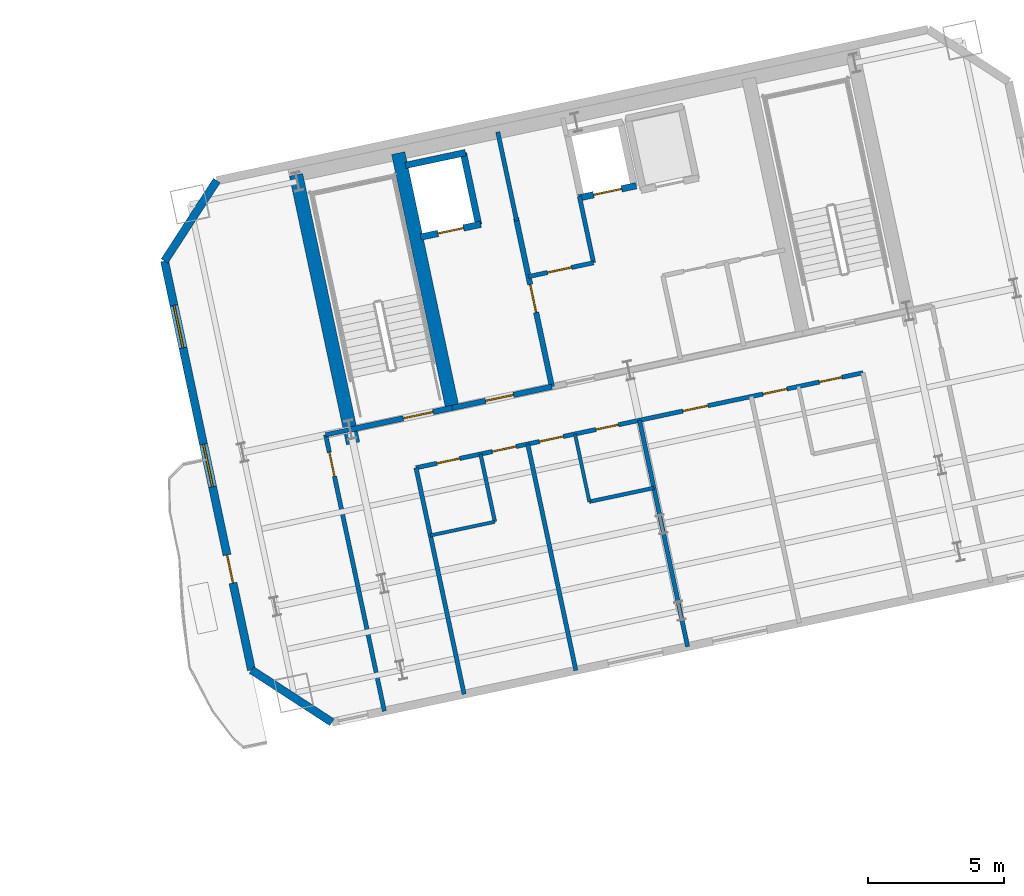
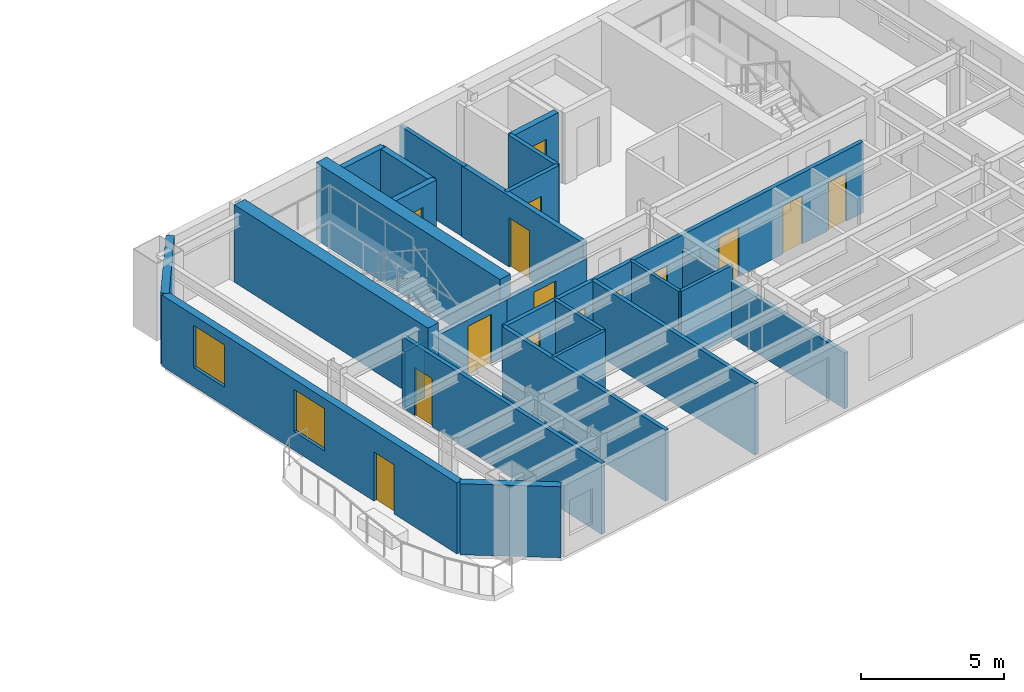
# One storey, part 7 of 14: 25 walls, 15 doors, 2 windows, 17 openings.
"""IFC4 building model written with IfcOpenShell, lengths in metres."""

from ifc_helpers import new_model, si_unit, direction, frame, frame_2d, origin, place, context, subcontext, project, spatial, rectangle, extrude, material, layer, layer_set, type_object, element, fill, save


model = new_model("IFC4")

# Units and contexts
model_context = context("Model", 3, precision=1e-05, world=origin(), true_north=direction((0.0, 1.0)))
body_context = subcontext(model_context, "Body", "Model", "MODEL_VIEW")
ifc_project = project(units=[si_unit("LENGTHUNIT", "METRE"), si_unit("AREAUNIT", "SQUARE_METRE"), si_unit("VOLUMEUNIT", "CUBIC_METRE"), si_unit("PLANEANGLEUNIT", "RADIAN"), si_unit("MASSUNIT", "GRAM", prefix="KILO")], contexts=[model_context])

# Site, building, storey
site_placement = place(None, origin())
site = spatial("IfcSite", under=ifc_project, at=site_placement, CompositionType="ELEMENT")
building_placement = place(site_placement, origin())
building = spatial("IfcBuilding", under=site, at=building_placement, Name="Haevon Station Towers", CompositionType="ELEMENT")
storey_placement = place(building_placement, frame((0.0, 0.0, 169.199951171875)))
storey = spatial("IfcBuildingStorey", under=building, at=storey_placement, Name="L46", CompositionType="ELEMENT", Elevation=169.199951171875)

# Wall, opening, door
ifc_material_1 = material(Name="Gypsum board on steel stud", Category="steel")
ifc_layer_1 = layer(ifc_material_1, 0.199951171875)
ifc_layer_set_1 = layer_set([ifc_layer_1], Name="Gypsum board on steel stud")
wall_type_1 = type_object("IfcWallType", Name="WL-COR200", PredefinedType="PARTITIONING", material=ifc_layer_set_1)
wall_1_placement = place(storey_placement, frame((98.75244140625, 37.4423828125, 0.0), z_axis=(0.0, 0.0, 1.0), x_axis=(0.978143537786, 0.207930804564, 0.0)))
wall_1 = element("IfcWall", 1, at=wall_1_placement, inside=storey, type_object=wall_type_1, Name="WL-ST-ST3-L46", PredefinedType="PARTITIONING", context=body_context, shape_type="SweptSolid", body=[
    extrude(rectangle(XDim=3.85009765625, YDim=0.199951171875, at=frame_2d((1.925048828125, 0.0))), origin(), (0.0, 0.0, 1.0), 2.380126953125),
])
opening_1_placement = place(wall_1_placement, frame((2.0, 0.0, 0.0)))
opening_1 = element("IfcOpeningElement", 2, at=opening_1_placement, cuts=wall_1, Name="Opening DR-ST-ST3-L46", PredefinedType="OPENING", context=body_context, shape_type="SweptSolid", body=[
    extrude(rectangle(XDim=1.1201171875, YDim=2.10009765625, at=frame_2d((0.56005859375, 1.050048828125))), frame((0.0, 0.10986328125, 0.0), z_axis=(0.0, -1.0, 0.0), x_axis=(1.0, 0.0, 0.0)), (0.0, 0.0, 1.0), 0.219970703125),
])
ifc_material_2 = material(Name="Engineered oak timber", Category="wood")
door_type_1 = type_object("IfcDoorType", Name="DR-ST-1120", OperationType="NOTDEFINED", PredefinedType="DOOR", material=ifc_material_2)
door_1_placement = place(opening_1_placement, origin())
door_1 = element("IfcDoor", 3, at=door_1_placement, inside=storey, type_object=door_type_1, Name="L46 Escape Stair ST3 Fire Door", OperationType="SINGLE_SWING_LEFT", OverallHeight=2.10009765625, OverallWidth=1.1201171875, PredefinedType="DOOR", context=body_context, shape_type="SweptSolid", body=[
    extrude(rectangle(XDim=1.1201171875, YDim=2.10009765625, at=frame_2d((0.56005859375, 1.050048828125))), frame((0.0, 0.02490234375, 0.0), z_axis=(0.0, -1.0, 0.0), x_axis=(1.0, 0.0, 0.0)), (0.0, 0.0, 1.0), 0.050048828125),
])
fill(opening_1, door_1)

wall_2_placement = place(storey_placement, frame((106.186279296875, 39.0224609375, 0.0), z_axis=(0.0, 0.0, 1.0), x_axis=(-0.207916691923, 0.978146537703, 0.0)))
wall_2 = element("IfcWall", 4, at=wall_2_placement, inside=storey, type_object=wall_type_1, Name="WL-T2FFL-L46-E", PredefinedType="PARTITIONING", context=body_context, shape_type="SweptSolid", body=[
    extrude(rectangle(XDim=6.35009765625, YDim=0.199951171875, at=frame_2d((3.175048828125, 0.0))), origin(), (0.0, 0.0, 1.0), 3.030029296875),
])
opening_2_placement = place(wall_2_placement, frame((2.800048828125, 0.0, 0.0)))
opening_2 = element("IfcOpeningElement", 5, at=opening_2_placement, cuts=wall_2, Name="Opening DR-T2FFL-L46-E", PredefinedType="OPENING", context=body_context, shape_type="SweptSolid", body=[
    extrude(rectangle(XDim=1.050048828125, YDim=2.10009765625, at=frame_2d((0.52490234375, 1.050048828125))), frame((0.0, 0.10986328125, 0.0), z_axis=(0.0, -1.0, 0.0), x_axis=(1.0, 0.0, 0.0)), (0.0, 0.0, 1.0), 0.219970703125),
])
door_type_2 = type_object("IfcDoorType", Name="DR-FD60-1050", OperationType="NOTDEFINED", PredefinedType="DOOR", material=ifc_material_2)
door_2_placement = place(opening_2_placement, origin())
door_2 = element("IfcDoor", 6, at=door_2_placement, inside=storey, type_object=door_type_2, Name="L46 Tower 2 Firefighting Lift Lobby Door E", OperationType="SINGLE_SWING_LEFT", OverallHeight=2.10009765625, OverallWidth=1.050048828125, PredefinedType="DOOR", context=body_context, shape_type="SweptSolid", body=[
    extrude(rectangle(XDim=1.050048828125, YDim=2.10009765625, at=frame_2d((0.52490234375, 1.050048828125))), frame((0.0, 0.02490234375, 0.0), z_axis=(0.0, -1.0, 0.0), x_axis=(1.0, 0.0, 0.0)), (0.0, 0.0, 1.0), 0.050048828125),
])
fill(opening_2, door_2)

wall_3_placement = place(storey_placement, frame((102.518310546875, 38.242919921875, 0.0), z_axis=(0.0, 0.0, 1.0), x_axis=(0.978153555683, 0.20788367301, 0.0)))
wall_3 = element("IfcWall", 7, at=wall_3_placement, inside=storey, type_object=wall_type_1, Name="WL-T2FFL-L46-S", PredefinedType="PARTITIONING", context=body_context, shape_type="SweptSolid", body=[
    extrude(rectangle(XDim=3.75, YDim=0.199951171875, at=frame_2d((1.875, 0.0))), origin(), (0.0, 0.0, 1.0), 2.380126953125),
])
opening_3_placement = place(wall_3_placement, frame((1.25, 0.0, 0.0)))
opening_3 = element("IfcOpeningElement", 8, at=opening_3_placement, cuts=wall_3, Name="Opening DR-T2FFL-L46-S", PredefinedType="OPENING", context=body_context, shape_type="SweptSolid", body=[
    extrude(rectangle(XDim=1.050048828125, YDim=2.10009765625, at=frame_2d((0.52490234375, 1.050048828125))), frame((0.0, 0.10986328125, 0.0), z_axis=(0.0, -1.0, 0.0), x_axis=(1.0, 0.0, 0.0)), (0.0, 0.0, 1.0), 0.219970703125),
])
door_3_placement = place(opening_3_placement, origin())
door_3 = element("IfcDoor", 9, at=door_3_placement, inside=storey, type_object=door_type_2, Name="L46 Tower 2 Firefighting Lift Lobby Door S", OperationType="SINGLE_SWING_RIGHT", OverallHeight=2.10009765625, OverallWidth=1.050048828125, PredefinedType="DOOR", context=body_context, shape_type="SweptSolid", body=[
    extrude(rectangle(XDim=1.050048828125, YDim=2.10009765625, at=frame_2d((0.52490234375, 1.050048828125))), frame((0.0, 0.02490234375, 0.0), z_axis=(0.0, -1.0, 0.0), x_axis=(1.0, 0.0, 0.0)), (0.0, 0.0, 1.0), 0.050048828125),
])
fill(opening_3, door_3)

# Walls
ifc_material_3 = material(Name="Concrete C60/75", Category="concrete")
ifc_layer_2 = layer(ifc_material_3, 0.5)
ifc_layer_set_2 = layer_set([ifc_layer_2], Name="Concrete C60/75")
wall_type_2 = type_object("IfcWallType", Name="WL-CR500", PredefinedType="SHEAR", material=ifc_layer_set_2)
wall_4_placement = place(storey_placement, frame((98.8603515625, 36.933837890625, 0.0), z_axis=(0.0, 0.0, 1.0), x_axis=(-0.20790924889, 0.978148119778, 0.0)))
element("IfcWall", 10, at=wall_4_placement, inside=storey, type_object=wall_type_2, Name="WL-T2CR-L46-W", PredefinedType="SHEAR", context=body_context, shape_type="SweptSolid", body=[
    extrude(rectangle(XDim=10.119873046875, YDim=0.5, at=frame_2d((5.06005859375, 0.0))), origin(), (0.0, 0.0, 1.0), 3.300048828125),
])
wall_5_placement = place(storey_placement, frame((102.518310546875, 38.242919921875, 0.0), z_axis=(0.0, 0.0, 1.0), x_axis=(-0.207927495108, 0.978144241295, 0.0)))
element("IfcWall", 11, at=wall_5_placement, inside=storey, type_object=wall_type_2, Name="WL-T2CR-L46-M1", PredefinedType="SHEAR", context=body_context, shape_type="SweptSolid", body=[
    extrude(rectangle(XDim=9.599853515625, YDim=0.5, at=frame_2d((4.7998046875, 0.0))), origin(), (0.0, 0.0, 1.0), 3.300048828125),
])
ifc_material_4 = material(Name="Precast concrete C45/55", Category="concrete")
ifc_layer_3 = layer(ifc_material_4, 0.300048828125)
ifc_layer_set_3 = layer_set([ifc_layer_3], Name="Precast concrete C45/55")
wall_type_3 = type_object("IfcWallType", Name="WL-EXT-PIER300", PredefinedType="SOLIDWALL", material=ifc_layer_set_3)
wall_6_placement = place(storey_placement, frame((98.080078125, 26.656982421875, 0.0), z_axis=(0.0, 0.0, 1.0), x_axis=(-0.838672309694, 0.544636352948, 0.0)))
element("IfcWall", 12, at=wall_6_placement, inside=storey, type_object=wall_type_3, Name="WL-T2-L46-SWC", PredefinedType="SOLIDWALL", context=body_context, shape_type="SweptSolid", body=[
    extrude(rectangle(XDim=3.535400390625, YDim=0.300048828125, at=frame_2d((1.767578125, 0.0))), origin(), (0.0, 0.0, 1.0), 3.030029296875),
])

# Wall, openings, door, windows
wall_7_placement = place(storey_placement, frame((95.114990234375, 28.58251953125, 0.0), z_axis=(0.0, 0.0, 1.0), x_axis=(-0.207908020757, 0.978148380822, 0.0)))
wall_7 = element("IfcWall", 13, at=wall_7_placement, inside=storey, type_object=wall_type_3, Name="WL-T2-L46-W", PredefinedType="SOLIDWALL", context=body_context, shape_type="SweptSolid", body=[
    extrude(rectangle(XDim=15.409912109375, YDim=0.300048828125, at=frame_2d((7.705078125, 0.0))), origin(), (0.0, 0.0, 1.0), 3.030029296875),
])
opening_4_placement = place(wall_7_placement, frame((3.280029296875, 0.0, 0.0)))
opening_4 = element("IfcOpeningElement", 14, at=opening_4_placement, cuts=wall_7, Name="Opening DR-T2-SCAL-L46-W", PredefinedType="OPENING", context=body_context, shape_type="SweptSolid", body=[
    extrude(rectangle(XDim=1.050048828125, YDim=2.10009765625, at=frame_2d((0.52490234375, 1.050048828125))), frame((0.0, 0.159912109375, 0.0), z_axis=(0.0, -1.0, 0.0), x_axis=(1.0, 0.0, 0.0)), (0.0, 0.0, 1.0), 0.320068359375),
])
opening_5_placement = place(wall_7_placement, frame((6.905029296875, 0.0, 0.800048828125)))
opening_5 = element("IfcOpeningElement", 15, at=opening_5_placement, cuts=wall_7, Name="Opening WN-END160", PredefinedType="OPENING", context=body_context, shape_type="SweptSolid", body=[
    extrude(rectangle(XDim=1.60009765625, YDim=1.800048828125, at=frame_2d((0.800048828125, 0.89990234375))), frame((0.0, 0.159912109375, 0.0), z_axis=(0.0, -1.0, 0.0), x_axis=(1.0, 0.0, 0.0)), (0.0, 0.0, 1.0), 0.320068359375),
])
opening_6_placement = place(wall_7_placement, frame((12.137939453125, 0.0, 0.800048828125)))
opening_6 = element("IfcOpeningElement", 16, at=opening_6_placement, cuts=wall_7, Name="Opening WN-END160", PredefinedType="OPENING", context=body_context, shape_type="SweptSolid", body=[
    extrude(rectangle(XDim=1.60009765625, YDim=1.800048828125, at=frame_2d((0.800048828125, 0.89990234375))), frame((0.0, 0.159912109375, 0.0), z_axis=(0.0, -1.0, 0.0), x_axis=(1.0, 0.0, 0.0)), (0.0, 0.0, 1.0), 0.320068359375),
])
ifc_material_5 = material(Name="Thermally broken anodised aluminium and laminated safety glass", Category="aluminium")
door_type_3 = type_object("IfcDoorType", Name="DR-BALC-1050", OperationType="NOTDEFINED", PredefinedType="DOOR", material=ifc_material_5)
door_4_placement = place(opening_4_placement, origin())
door_4 = element("IfcDoor", 17, at=door_4_placement, inside=storey, type_object=door_type_3, Name="Tower 2 L46 West Scalloped Balcony Door", OperationType="SINGLE_SWING_LEFT", OverallHeight=2.10009765625, OverallWidth=1.050048828125, PredefinedType="DOOR", context=body_context, shape_type="SweptSolid", body=[
    extrude(rectangle(XDim=1.050048828125, YDim=2.10009765625, at=frame_2d((0.52490234375, 1.050048828125))), frame((0.0, 0.02490234375, 0.0), z_axis=(0.0, -1.0, 0.0), x_axis=(1.0, 0.0, 0.0)), (0.0, 0.0, 1.0), 0.050048828125),
])
fill(opening_4, door_4)
ifc_material_6 = material(Name="Low-E triple glazing in thermally broken aluminium", Category="aluminium")
window_type = type_object("IfcWindowType", Name="WN-END160", PartitioningType="SINGLE_PANEL", PredefinedType="WINDOW", material=ifc_material_6)
window_1_placement = place(opening_5_placement, origin())
window_1 = element("IfcWindow", 18, at=window_1_placement, inside=storey, type_object=window_type, Name="WN-T2-L46-W01", OverallHeight=1.800048828125, OverallWidth=1.60009765625, PartitioningType="SINGLE_PANEL", PredefinedType="WINDOW", context=body_context, shape_type="SweptSolid", body=[
    extrude(rectangle(XDim=1.60009765625, YDim=1.800048828125, at=frame_2d((0.800048828125, 0.89990234375))), frame((0.0, 0.030029296875, 0.0), z_axis=(0.0, -1.0, 0.0), x_axis=(1.0, 0.0, 0.0)), (0.0, 0.0, 1.0), 0.06005859375),
])
fill(opening_5, window_1)
window_2_placement = place(opening_6_placement, origin())
window_2 = element("IfcWindow", 19, at=window_2_placement, inside=storey, type_object=window_type, Name="WN-T2-L46-W02", OverallHeight=1.800048828125, OverallWidth=1.60009765625, PartitioningType="SINGLE_PANEL", PredefinedType="WINDOW", context=body_context, shape_type="SweptSolid", body=[
    extrude(rectangle(XDim=1.60009765625, YDim=1.800048828125, at=frame_2d((0.800048828125, 0.89990234375))), frame((0.0, 0.030029296875, 0.0), z_axis=(0.0, -1.0, 0.0), x_axis=(1.0, 0.0, 0.0)), (0.0, 0.0, 1.0), 0.06005859375),
])
fill(opening_6, window_2)

# Walls
wall_8_placement = place(storey_placement, frame((91.9111328125, 43.65576171875, 0.0), z_axis=(0.0, 0.0, 1.0), x_axis=(0.544636352948, 0.838672309694, 0.0)))
element("IfcWall", 20, at=wall_8_placement, inside=storey, type_object=wall_type_3, Name="WL-T2-L46-NWC", PredefinedType="SOLIDWALL", context=body_context, shape_type="SweptSolid", body=[
    extrude(rectangle(XDim=3.535400390625, YDim=0.300048828125, at=frame_2d((1.767578125, 0.0))), origin(), (0.0, 0.0, 1.0), 3.030029296875),
])
ifc_layer_4 = layer(ifc_material_1, 0.125)
ifc_layer_set_4 = layer_set([ifc_layer_4], Name="Gypsum board on steel stud")
wall_type_4 = type_object("IfcWallType", Name="WL-PRT125", PredefinedType="PARTITIONING", material=ifc_layer_set_4)
wall_9_placement = place(storey_placement, frame((101.7080078125, 33.541748046875, 0.0), z_axis=(0.0, 0.0, 1.0), x_axis=(0.978156808166, 0.207868368539, 0.0)))
element("IfcWall", 21, at=wall_9_placement, inside=storey, type_object=wall_type_4, Name="WL-T2PT-L46-07", PredefinedType="PARTITIONING", context=body_context, shape_type="SweptSolid", body=[
    extrude(rectangle(XDim=2.429931640625, YDim=0.125, at=frame_2d((1.21484375, 0.0))), origin(), (0.0, 0.0, 1.0), 3.030029296875),
])
wall_10_placement = place(storey_placement, frame((107.567138671875, 34.787109375, 0.0), z_axis=(0.0, 0.0, 1.0), x_axis=(-0.207959524531, 0.978137432142, 0.0)))
element("IfcWall", 22, at=wall_10_placement, inside=storey, type_object=wall_type_4, Name="WL-T2PT-L46-11", PredefinedType="PARTITIONING", context=body_context, shape_type="SweptSolid", body=[
    extrude(rectangle(XDim=2.5498046875, YDim=0.125, at=frame_2d((1.27490234375, 0.0))), origin(), (0.0, 0.0, 1.0), 3.030029296875),
])
ifc_layer_5 = layer(ifc_material_1, 0.139892578125)
ifc_layer_set_5 = layer_set([ifc_layer_5], Name="Gypsum board on steel stud")
wall_type_5 = type_object("IfcWallType", Name="WL-PRT140", PredefinedType="PARTITIONING", material=ifc_layer_set_5)
wall_11_placement = place(storey_placement, frame((104.0849609375, 34.046875, 0.0), z_axis=(0.0, 0.0, 1.0), x_axis=(-0.207940050407, 0.978141572287, 0.0)))
element("IfcWall", 23, at=wall_11_placement, inside=storey, type_object=wall_type_5, Name="WL-T2PT-L46-08", PredefinedType="PARTITIONING", context=body_context, shape_type="SweptSolid", body=[
    extrude(rectangle(XDim=2.550048828125, YDim=0.139892578125, at=frame_2d((1.27490234375, 0.0))), origin(), (0.0, 0.0, 1.0), 3.030029296875),
])
wall_12_placement = place(storey_placement, frame((107.567138671875, 34.787109375, 0.0), z_axis=(0.0, 0.0, 1.0), x_axis=(0.978152466376, 0.207888798452, 0.0)))
element("IfcWall", 24, at=wall_12_placement, inside=storey, type_object=wall_type_5, Name="WL-T2PT-L46-10", PredefinedType="PARTITIONING", context=body_context, shape_type="SweptSolid", body=[
    extrude(rectangle(XDim=2.4296875, YDim=0.139892578125, at=frame_2d((1.21484375, 0.0))), origin(), (0.0, 0.0, 1.0), 3.030029296875),
])
ifc_layer_6 = layer(ifc_material_1, 0.159912109375)
ifc_layer_set_6 = layer_set([ifc_layer_6], Name="Gypsum board on steel stud")
wall_type_6 = type_object("IfcWallType", Name="WL-PRT160", PredefinedType="PARTITIONING", material=ifc_layer_set_6)
wall_13_placement = place(storey_placement, frame((104.88671875, 45.135986328125, 0.0), z_axis=(0.0, 0.0, 1.0), x_axis=(-0.207846553267, 0.978161443881, 0.0)))
element("IfcWall", 25, at=wall_13_placement, inside=storey, type_object=wall_type_6, Name="WL-T2CW-L46-01", PredefinedType="PARTITIONING", context=body_context, shape_type="SweptSolid", body=[
    extrude(rectangle(XDim=3.35009765625, YDim=0.159912109375, at=frame_2d((1.675048828125, 0.0))), origin(), (0.0, 0.0, 1.0), 3.030029296875),
])

# Wall, opening, door
wall_14_placement = place(storey_placement, frame((105.323486328125, 43.081787109375, 0.0), z_axis=(0.0, 0.0, 1.0), x_axis=(0.978136559131, 0.207963630695, 0.0)))
wall_14 = element("IfcWall", 26, at=wall_14_placement, inside=storey, type_object=wall_type_6, Name="WL-T2CW-L46-02", PredefinedType="PARTITIONING", context=body_context, shape_type="SweptSolid", body=[
    extrude(rectangle(XDim=2.449951171875, YDim=0.159912109375, at=frame_2d((1.22509765625, 0.0))), origin(), (0.0, 0.0, 1.0), 3.030029296875),
])
opening_7_placement = place(wall_14_placement, frame((0.719970703125, 0.0, 0.0)))
opening_7 = element("IfcOpeningElement", 27, at=opening_7_placement, cuts=wall_14, Name="Opening DR-WL-T2CW-L46-02-1", PredefinedType="OPENING", context=body_context, shape_type="SweptSolid", body=[
    extrude(rectangle(XDim=0.89990234375, YDim=2.10009765625, at=frame_2d((0.449951171875, 1.050048828125))), frame((0.0, 0.08984375, 0.0), z_axis=(0.0, -1.0, 0.0), x_axis=(1.0, 0.0, 0.0)), (0.0, 0.0, 1.0), 0.179931640625),
])
door_type_4 = type_object("IfcDoorType", Name="DR-FD60-900", OperationType="NOTDEFINED", PredefinedType="DOOR", material=ifc_material_2)
door_5_placement = place(opening_7_placement, origin())
door_5 = element("IfcDoor", 28, at=door_5_placement, inside=storey, type_object=door_type_4, Name="L46 Tower 2 Core Room Door 2-1", OperationType="SINGLE_SWING_RIGHT", OverallHeight=2.10009765625, OverallWidth=0.89990234375, PredefinedType="DOOR", context=body_context, shape_type="SweptSolid", body=[
    extrude(rectangle(XDim=0.89990234375, YDim=2.10009765625, at=frame_2d((0.449951171875, 1.050048828125))), frame((0.0, 0.02490234375, 0.0), z_axis=(0.0, -1.0, 0.0), x_axis=(1.0, 0.0, 0.0)), (0.0, 0.0, 1.0), 0.050048828125),
])
fill(opening_7, door_5)

# Walls
wall_15_placement = place(storey_placement, frame((107.719970703125, 43.59130859375, 0.0), z_axis=(0.0, 0.0, 1.0), x_axis=(-0.207914818928, 0.978146935828, 0.0)))
element("IfcWall", 29, at=wall_15_placement, inside=storey, type_object=wall_type_6, Name="WL-T2CW-L46-03", PredefinedType="PARTITIONING", context=body_context, shape_type="SweptSolid", body=[
    extrude(rectangle(XDim=2.5, YDim=0.159912109375, at=frame_2d((1.25, 0.0))), origin(), (0.0, 0.0, 1.0), 3.030029296875),
])
wall_16_placement = place(storey_placement, frame((102.951171875, 27.6923828125, 0.0), z_axis=(0.0, 0.0, 1.0), x_axis=(-0.207908391118, 0.978148302101, 0.0)))
element("IfcWall", 30, at=wall_16_placement, inside=storey, type_object=wall_type_6, Name="WL-T2PT-L46-01", PredefinedType="PARTITIONING", context=body_context, shape_type="SweptSolid", body=[
    extrude(rectangle(XDim=8.52978515625, YDim=0.159912109375, at=frame_2d((4.264892578125, 0.0))), origin(), (0.0, 0.0, 1.0), 3.030029296875),
])
wall_17_placement = place(storey_placement, frame((97.84765625, 37.25, 0.0), z_axis=(0.0, 0.0, 1.0), x_axis=(0.978133353907, 0.20797870558, 0.0)))
element("IfcWall", 31, at=wall_17_placement, inside=storey, type_object=wall_type_6, Name="WL-T2PT-L46-03", PredefinedType="PARTITIONING", context=body_context, shape_type="SweptSolid", body=[
    extrude(rectangle(XDim=0.925048828125, YDim=0.159912109375, at=frame_2d((0.46240234375, 0.0))), origin(), (0.0, 0.0, 1.0), 2.380126953125),
])

# Wall, opening, door
wall_18_placement = place(storey_placement, frame((100.011962890625, 27.067626953125, 0.0), z_axis=(0.0, 0.0, 1.0), x_axis=(-0.207909525055, 0.978148061078, 0.0)))
wall_18 = element("IfcWall", 32, at=wall_18_placement, inside=storey, type_object=wall_type_6, Name="WL-T2PT-L46-05", PredefinedType="PARTITIONING", context=body_context, shape_type="SweptSolid", body=[
    extrude(rectangle(XDim=10.409912109375, YDim=0.159912109375, at=frame_2d((5.205078125, 0.0))), origin(), (0.0, 0.0, 1.0), 3.030029296875),
])
opening_8_placement = place(wall_18_placement, frame((8.85009765625, 0.0, 0.0)))
opening_8 = element("IfcOpeningElement", 33, at=opening_8_placement, cuts=wall_18, Name="Opening DR-WL-T2PT-L46-05-01", PredefinedType="OPENING", context=body_context, shape_type="SweptSolid", body=[
    extrude(rectangle(XDim=0.89990234375, YDim=2.050048828125, at=frame_2d((0.449951171875, 1.02490234375))), frame((0.0, 0.08984375, 0.0), z_axis=(0.0, -1.0, 0.0), x_axis=(1.0, 0.0, 0.0)), (0.0, 0.0, 1.0), 0.179931640625),
])
door_type_5 = type_object("IfcDoorType", Name="DR-INT-900", OperationType="NOTDEFINED", PredefinedType="DOOR", material=ifc_material_2)
door_6_placement = place(opening_8_placement, origin())
door_6 = element("IfcDoor", 34, at=door_6_placement, inside=storey, type_object=door_type_5, Name="L46 Tower 2 Room Door 5-1", OperationType="SINGLE_SWING_LEFT", OverallHeight=2.050048828125, OverallWidth=0.89990234375, PredefinedType="DOOR", context=body_context, shape_type="SweptSolid", body=[
    extrude(rectangle(XDim=0.89990234375, YDim=2.050048828125, at=frame_2d((0.449951171875, 1.02490234375))), frame((0.0, 0.02490234375, 0.0), z_axis=(0.0, -1.0, 0.0), x_axis=(1.0, 0.0, 0.0)), (0.0, 0.0, 1.0), 0.050048828125),
])
fill(opening_8, door_6)

# Walls
wall_19_placement = place(storey_placement, frame((107.0693359375, 28.567626953125, 0.0), z_axis=(0.0, 0.0, 1.0), x_axis=(-0.207929954216, 0.978143718551, 0.0)))
element("IfcWall", 35, at=wall_19_placement, inside=storey, type_object=wall_type_6, Name="WL-T2PT-L46-09", PredefinedType="PARTITIONING", context=body_context, shape_type="SweptSolid", body=[
    extrude(rectangle(XDim=8.5302734375, YDim=0.159912109375, at=frame_2d((4.26513671875, 0.0))), origin(), (0.0, 0.0, 1.0), 3.030029296875),
])
wall_20_placement = place(storey_placement, frame((111.187255859375, 29.44287109375, 0.0), z_axis=(0.0, 0.0, 1.0), x_axis=(-0.207902570608, 0.97814953925, 0.0)))
element("IfcWall", 36, at=wall_20_placement, inside=storey, type_object=wall_type_6, Name="WL-T2PT-L46-12", PredefinedType="PARTITIONING", context=body_context, shape_type="SweptSolid", body=[
    extrude(rectangle(XDim=8.530029296875, YDim=0.159912109375, at=frame_2d((4.26513671875, 0.0))), origin(), (0.0, 0.0, 1.0), 2.380126953125),
])

# Wall, openings, doors
wall_21_placement = place(storey_placement, frame((101.177734375, 36.035888671875, 0.0), z_axis=(0.0, 0.0, 1.0), x_axis=(0.978147537813, 0.207911986835, 0.0)))
wall_21 = element("IfcWall", 37, at=wall_21_placement, inside=storey, type_object=wall_type_6, Name="WL-T2PT-L46-16", PredefinedType="PARTITIONING", context=body_context, shape_type="SweptSolid", body=[
    extrude(rectangle(XDim=16.83984375, YDim=0.159912109375, at=frame_2d((8.419921875, 0.0))), origin(), (0.0, 0.0, 1.0), 3.030029296875),
])
opening_9_placement = place(wall_21_placement, frame((0.7900390625, 0.0, 0.0)))
opening_9 = element("IfcOpeningElement", 38, at=opening_9_placement, cuts=wall_21, Name="Opening DR-WL-T2PT-L46-16-01", PredefinedType="OPENING", context=body_context, shape_type="SweptSolid", body=[
    extrude(rectangle(XDim=0.85009765625, YDim=2.050048828125, at=frame_2d((0.425048828125, 1.02490234375))), frame((0.0, 0.08984375, 0.0), z_axis=(0.0, -1.0, 0.0), x_axis=(1.0, 0.0, 0.0)), (0.0, 0.0, 1.0), 0.179931640625),
])
opening_10_placement = place(wall_21_placement, frame((2.8701171875, 0.0, 0.0)))
opening_10 = element("IfcOpeningElement", 39, at=opening_10_placement, cuts=wall_21, Name="Opening DR-WL-T2PT-L46-16-02", PredefinedType="OPENING", context=body_context, shape_type="SweptSolid", body=[
    extrude(rectangle(XDim=0.89990234375, YDim=2.050048828125, at=frame_2d((0.449951171875, 1.02490234375))), frame((0.0, 0.08984375, 0.0), z_axis=(0.0, -1.0, 0.0), x_axis=(1.0, 0.0, 0.0)), (0.0, 0.0, 1.0), 0.179931640625),
])
opening_11_placement = place(wall_21_placement, frame((6.780029296875, 0.0, 0.0)))
opening_11 = element("IfcOpeningElement", 40, at=opening_11_placement, cuts=wall_21, Name="Opening DR-WL-T2PT-L46-16-03", PredefinedType="OPENING", context=body_context, shape_type="SweptSolid", body=[
    extrude(rectangle(XDim=0.85009765625, YDim=2.050048828125, at=frame_2d((0.425048828125, 1.02490234375))), frame((0.0, 0.08984375, 0.0), z_axis=(0.0, -1.0, 0.0), x_axis=(1.0, 0.0, 0.0)), (0.0, 0.0, 1.0), 0.179931640625),
])
opening_12_placement = place(wall_21_placement, frame((4.64990234375, 0.0, 0.0)))
opening_12 = element("IfcOpeningElement", 41, at=opening_12_placement, cuts=wall_21, Name="Opening DR-WL-T2PT-L46-16-04", PredefinedType="OPENING", context=body_context, shape_type="SweptSolid", body=[
    extrude(rectangle(XDim=0.89990234375, YDim=2.050048828125, at=frame_2d((0.449951171875, 1.02490234375))), frame((0.0, 0.08984375, 0.0), z_axis=(0.0, -1.0, 0.0), x_axis=(1.0, 0.0, 0.0)), (0.0, 0.0, 1.0), 0.179931640625),
])
opening_13_placement = place(wall_21_placement, frame((10.050048828125, 0.0, 0.0)))
opening_13 = element("IfcOpeningElement", 42, at=opening_13_placement, cuts=wall_21, Name="Opening DR-WL-T2PT-L46-16-05", PredefinedType="OPENING", context=body_context, shape_type="SweptSolid", body=[
    extrude(rectangle(XDim=0.949951171875, YDim=2.10009765625, at=frame_2d((0.47509765625, 1.050048828125))), frame((0.0, 0.08984375, 0.0), z_axis=(0.0, -1.0, 0.0), x_axis=(1.0, 0.0, 0.0)), (0.0, 0.0, 1.0), 0.179931640625),
])
opening_14_placement = place(wall_21_placement, frame((15.199951171875, 0.0, 0.0)))
opening_14 = element("IfcOpeningElement", 43, at=opening_14_placement, cuts=wall_21, Name="Opening DR-WL-T2PT-L46-16-06", PredefinedType="OPENING", context=body_context, shape_type="SweptSolid", body=[
    extrude(rectangle(XDim=0.85009765625, YDim=2.050048828125, at=frame_2d((0.425048828125, 1.02490234375))), frame((0.0, 0.08984375, 0.0), z_axis=(0.0, -1.0, 0.0), x_axis=(1.0, 0.0, 0.0)), (0.0, 0.0, 1.0), 0.179931640625),
])
opening_15_placement = place(wall_21_placement, frame((13.070068359375, 0.0, 0.0)))
opening_15 = element("IfcOpeningElement", 44, at=opening_15_placement, cuts=wall_21, Name="Opening DR-WL-T2PT-L46-16-07", PredefinedType="OPENING", context=body_context, shape_type="SweptSolid", body=[
    extrude(rectangle(XDim=0.89990234375, YDim=2.050048828125, at=frame_2d((0.449951171875, 1.02490234375))), frame((0.0, 0.08984375, 0.0), z_axis=(0.0, -1.0, 0.0), x_axis=(1.0, 0.0, 0.0)), (0.0, 0.0, 1.0), 0.179931640625),
])
door_type_6 = type_object("IfcDoorType", Name="DR-FD30-850", OperationType="NOTDEFINED", PredefinedType="DOOR", material=ifc_material_2)
door_7_placement = place(opening_9_placement, origin())
door_7 = element("IfcDoor", 45, at=door_7_placement, inside=storey, type_object=door_type_6, Name="L46 Tower 2 Room Door 16-1", OperationType="SINGLE_SWING_LEFT", OverallHeight=2.050048828125, OverallWidth=0.85009765625, PredefinedType="DOOR", context=body_context, shape_type="SweptSolid", body=[
    extrude(rectangle(XDim=0.85009765625, YDim=2.050048828125, at=frame_2d((0.425048828125, 1.02490234375))), frame((0.0, 0.02490234375, 0.0), z_axis=(0.0, -1.0, 0.0), x_axis=(1.0, 0.0, 0.0)), (0.0, 0.0, 1.0), 0.050048828125),
])
fill(opening_9, door_7)
door_8_placement = place(opening_11_placement, origin())
door_8 = element("IfcDoor", 46, at=door_8_placement, inside=storey, type_object=door_type_6, Name="L46 Tower 2 Room Door 16-3", OperationType="SINGLE_SWING_LEFT", OverallHeight=2.050048828125, OverallWidth=0.85009765625, PredefinedType="DOOR", context=body_context, shape_type="SweptSolid", body=[
    extrude(rectangle(XDim=0.85009765625, YDim=2.050048828125, at=frame_2d((0.425048828125, 1.02490234375))), frame((0.0, 0.02490234375, 0.0), z_axis=(0.0, -1.0, 0.0), x_axis=(1.0, 0.0, 0.0)), (0.0, 0.0, 1.0), 0.050048828125),
])
fill(opening_11, door_8)
door_9_placement = place(opening_14_placement, origin())
door_9 = element("IfcDoor", 47, at=door_9_placement, inside=storey, type_object=door_type_6, Name="L46 Tower 2 Room Door 16-6", OperationType="SINGLE_SWING_RIGHT", OverallHeight=2.050048828125, OverallWidth=0.85009765625, PredefinedType="DOOR", context=body_context, shape_type="SweptSolid", body=[
    extrude(rectangle(XDim=0.85009765625, YDim=2.050048828125, at=frame_2d((0.425048828125, 1.02490234375))), frame((0.0, 0.02490234375, 0.0), z_axis=(0.0, -1.0, 0.0), x_axis=(1.0, 0.0, 0.0)), (0.0, 0.0, 1.0), 0.050048828125),
])
fill(opening_14, door_9)
door_type_7 = type_object("IfcDoorType", Name="DR-FD30-950", OperationType="NOTDEFINED", PredefinedType="DOOR", material=ifc_material_2)
door_10_placement = place(opening_13_placement, origin())
door_10 = element("IfcDoor", 48, at=door_10_placement, inside=storey, type_object=door_type_7, Name="L46 Tower 2 Room Door 16-5", OperationType="SINGLE_SWING_LEFT", OverallHeight=2.10009765625, OverallWidth=0.949951171875, PredefinedType="DOOR", context=body_context, shape_type="SweptSolid", body=[
    extrude(rectangle(XDim=0.949951171875, YDim=2.10009765625, at=frame_2d((0.47509765625, 1.050048828125))), frame((0.0, 0.02490234375, 0.0), z_axis=(0.0, -1.0, 0.0), x_axis=(1.0, 0.0, 0.0)), (0.0, 0.0, 1.0), 0.050048828125),
])
fill(opening_13, door_10)
door_11_placement = place(opening_10_placement, origin())
door_11 = element("IfcDoor", 49, at=door_11_placement, inside=storey, type_object=door_type_5, Name="L46 Tower 2 Room Door 16-2", OperationType="SINGLE_SWING_RIGHT", OverallHeight=2.050048828125, OverallWidth=0.89990234375, PredefinedType="DOOR", context=body_context, shape_type="SweptSolid", body=[
    extrude(rectangle(XDim=0.89990234375, YDim=2.050048828125, at=frame_2d((0.449951171875, 1.02490234375))), frame((0.0, 0.02490234375, 0.0), z_axis=(0.0, -1.0, 0.0), x_axis=(1.0, 0.0, 0.0)), (0.0, 0.0, 1.0), 0.050048828125),
])
fill(opening_10, door_11)
door_12_placement = place(opening_12_placement, origin())
door_12 = element("IfcDoor", 50, at=door_12_placement, inside=storey, type_object=door_type_5, Name="L46 Tower 2 Room Door 16-4", OperationType="SINGLE_SWING_RIGHT", OverallHeight=2.050048828125, OverallWidth=0.89990234375, PredefinedType="DOOR", context=body_context, shape_type="SweptSolid", body=[
    extrude(rectangle(XDim=0.89990234375, YDim=2.050048828125, at=frame_2d((0.449951171875, 1.02490234375))), frame((0.0, 0.02490234375, 0.0), z_axis=(0.0, -1.0, 0.0), x_axis=(1.0, 0.0, 0.0)), (0.0, 0.0, 1.0), 0.050048828125),
])
fill(opening_12, door_12)
door_13_placement = place(opening_15_placement, origin())
door_13 = element("IfcDoor", 51, at=door_13_placement, inside=storey, type_object=door_type_5, Name="L46 Tower 2 Room Door 16-7", OperationType="SINGLE_SWING_LEFT", OverallHeight=2.050048828125, OverallWidth=0.89990234375, PredefinedType="DOOR", context=body_context, shape_type="SweptSolid", body=[
    extrude(rectangle(XDim=0.89990234375, YDim=2.050048828125, at=frame_2d((0.449951171875, 1.02490234375))), frame((0.0, 0.02490234375, 0.0), z_axis=(0.0, -1.0, 0.0), x_axis=(1.0, 0.0, 0.0)), (0.0, 0.0, 1.0), 0.050048828125),
])
fill(opening_15, door_13)

# Wall, opening, door
ifc_material_7 = material(Name="Concrete C40/50", Category="concrete")
ifc_layer_7 = layer(ifc_material_7, 0.239990234375)
ifc_layer_set_7 = layer_set([ifc_layer_7], Name="Concrete C40/50")
wall_type_7 = type_object("IfcWallType", Name="WL-SHF240", PredefinedType="PARTITIONING", material=ifc_layer_set_7)
wall_22_placement = place(storey_placement, frame((101.353759765625, 44.538330078125, 0.0), z_axis=(0.0, 0.0, 1.0), x_axis=(0.978141002414, 0.207942731049, 0.0)))
wall_22 = element("IfcWall", 52, at=wall_22_placement, inside=storey, type_object=wall_type_7, Name="WL-SHF-FL2-L46", PredefinedType="PARTITIONING", context=body_context, shape_type="SweptSolid", body=[
    extrude(rectangle(XDim=2.260009765625, YDim=0.239990234375, at=frame_2d((1.1298828125, 0.0))), origin(), (0.0, 0.0, 1.0), 3.030029296875),
])
opening_16_placement = place(wall_22_placement, frame((0.655029296875, 0.0, 0.0)))
opening_16 = element("IfcOpeningElement", 53, at=opening_16_placement, cuts=wall_22, Name="Opening LD-FL2-L46", PredefinedType="OPENING", context=body_context, shape_type="SweptSolid", body=[
    extrude(rectangle(XDim=0.949951171875, YDim=2.14990234375, at=frame_2d((0.47509765625, 1.074951171875))), frame((0.0, 0.1298828125, 0.0), z_axis=(0.0, -1.0, 0.0), x_axis=(1.0, 0.0, 0.0)), (0.0, 0.0, 1.0), 0.260009765625),
])
ifc_material_8 = material(Name="Stainless steel and rated core", Category="steel")
door_type_8 = type_object("IfcDoorType", Name="LD-FL950", OperationType="SLIDING_TO_LEFT", PredefinedType="DOOR", material=ifc_material_8)
door_14_placement = place(opening_16_placement, origin())
door_14 = element("IfcDoor", 54, at=door_14_placement, inside=storey, type_object=door_type_8, Name="L46 Lift FL2 Sliding Landing Door", OperationType="SLIDING_TO_LEFT", OverallHeight=2.14990234375, OverallWidth=0.949951171875, PredefinedType="DOOR", context=body_context, shape_type="SweptSolid", body=[
    extrude(rectangle(XDim=0.949951171875, YDim=2.14990234375, at=frame_2d((0.47509765625, 1.074951171875))), frame((0.0, 0.02490234375, 0.0), z_axis=(0.0, -1.0, 0.0), x_axis=(1.0, 0.0, 0.0)), (0.0, 0.0, 1.0), 0.050048828125),
])
fill(opening_16, door_14)

# Walls
wall_23_placement = place(storey_placement, frame((100.79248046875, 47.179443359375, 0.0), z_axis=(0.0, 0.0, 1.0), x_axis=(0.978162968872, 0.207839376268, 0.0)))
element("IfcWall", 55, at=wall_23_placement, inside=storey, type_object=wall_type_7, Name="WL-SHF-FL2-L46-N", PredefinedType="PARTITIONING", context=body_context, shape_type="SweptSolid", body=[
    extrude(rectangle(XDim=2.260009765625, YDim=0.239990234375, at=frame_2d((1.1298828125, 0.0))), origin(), (0.0, 0.0, 1.0), 3.030029296875),
])
wall_24_placement = place(storey_placement, frame((103.486328125, 44.99169921875, 0.0), z_axis=(0.0, 0.0, 1.0), x_axis=(-0.207978798957, 0.978133334052, 0.0)))
element("IfcWall", 56, at=wall_24_placement, inside=storey, type_object=wall_type_7, Name="WL-SHF-FL2-L46-E", PredefinedType="PARTITIONING", context=body_context, shape_type="SweptSolid", body=[
    extrude(rectangle(XDim=2.699951171875, YDim=0.239990234375, at=frame_2d((1.35009765625, 0.0))), origin(), (0.0, 0.0, 1.0), 3.030029296875),
])

# Wall, opening, door
wall_25_placement = place(storey_placement, frame((107.18115234375, 45.9814453125, 0.0), z_axis=(0.0, 0.0, 1.0), x_axis=(0.97813528961, 0.207969601673, 0.0)))
wall_25 = element("IfcWall", 57, at=wall_25_placement, inside=storey, type_object=wall_type_7, Name="WL-SHF-PL8-L46", PredefinedType="PARTITIONING", context=body_context, shape_type="SweptSolid", body=[
    extrude(rectangle(XDim=2.159912109375, YDim=0.239990234375, at=frame_2d((1.080078125, 0.0))), origin(), (0.0, 0.0, 1.0), 3.030029296875),
])
opening_17_placement = place(wall_25_placement, frame((0.554931640625, 0.0, 0.0)))
opening_17 = element("IfcOpeningElement", 58, at=opening_17_placement, cuts=wall_25, Name="Opening LD-PL8-L46", PredefinedType="OPENING", context=body_context, shape_type="SweptSolid", body=[
    extrude(rectangle(XDim=1.050048828125, YDim=2.14990234375, at=frame_2d((0.52490234375, 1.074951171875))), frame((0.0, 0.1298828125, 0.0), z_axis=(0.0, -1.0, 0.0), x_axis=(1.0, 0.0, 0.0)), (0.0, 0.0, 1.0), 0.260009765625),
])
door_type_9 = type_object("IfcDoorType", Name="LD-PL1050", OperationType="SLIDING_TO_LEFT", PredefinedType="DOOR", material=ifc_material_8)
door_15_placement = place(opening_17_placement, origin())
door_15 = element("IfcDoor", 59, at=door_15_placement, inside=storey, type_object=door_type_9, Name="L46 Lift PL8 Sliding Landing Door", OperationType="SLIDING_TO_LEFT", OverallHeight=2.14990234375, OverallWidth=1.050048828125, PredefinedType="DOOR", context=body_context, shape_type="SweptSolid", body=[
    extrude(rectangle(XDim=1.050048828125, YDim=2.14990234375, at=frame_2d((0.52490234375, 1.074951171875))), frame((0.0, 0.02490234375, 0.0), z_axis=(0.0, -1.0, 0.0), x_axis=(1.0, 0.0, 0.0)), (0.0, 0.0, 1.0), 0.050048828125),
])
fill(opening_17, door_15)

save(model, "model.ifc")
